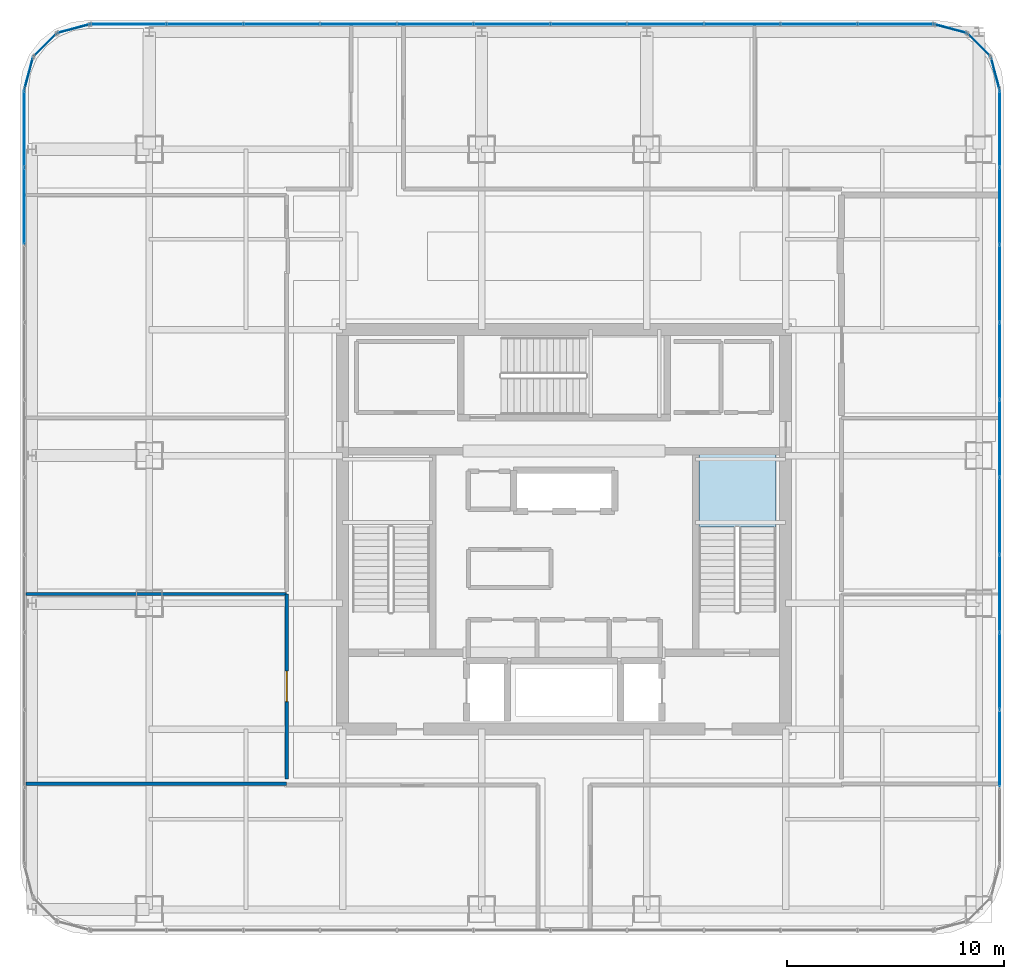
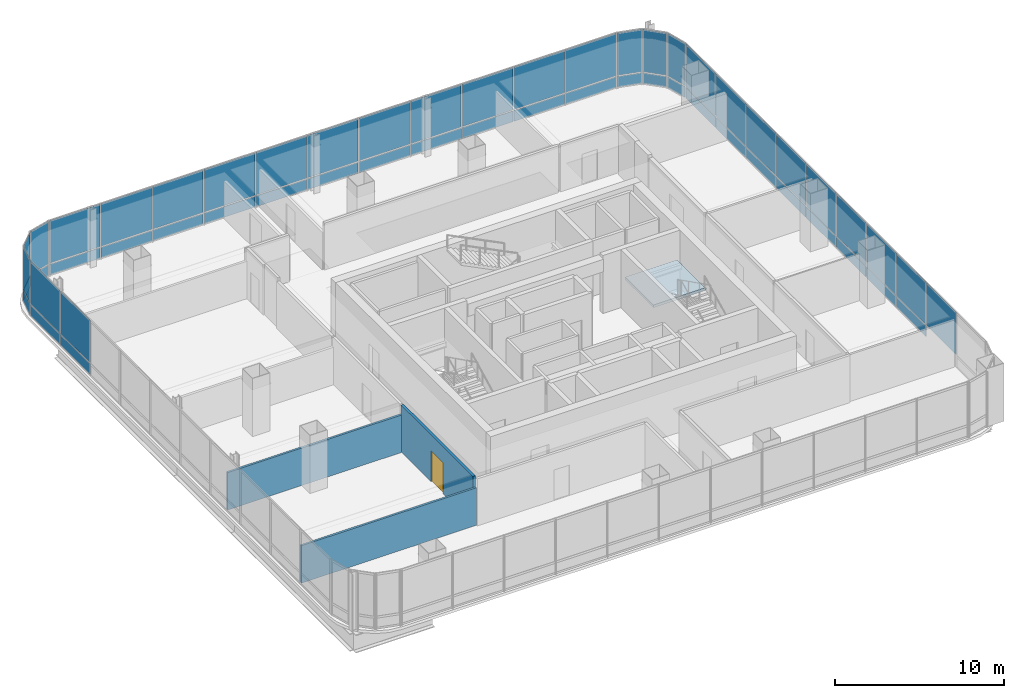
# One storey, part 33 of 41: 55 plates, 3 walls, 1 door, 1 slab, 1 opening, 10 elements without a shape of their own.
"""IFC4 building model written with IfcOpenShell, lengths in metres."""

from ifc_helpers import new_model, si_unit, direction, frame, frame_2d, origin, origin_2d, place, context, subcontext, project, spatial, polyline, rectangle, outline, extrude, material, layer, layer_set, type_object, element, fill, aggregate, save


model = new_model("IFC4")

# Units and contexts
model_context = context("Model", 3, precision=1e-05, world=origin(), true_north=direction((0.0, 1.0)))
body_context = subcontext(model_context, "Body", "Model", "MODEL_VIEW")
ifc_project = project(units=[si_unit("LENGTHUNIT", "METRE"), si_unit("AREAUNIT", "SQUARE_METRE"), si_unit("VOLUMEUNIT", "CUBIC_METRE"), si_unit("PLANEANGLEUNIT", "RADIAN"), si_unit("MASSUNIT", "GRAM", prefix="KILO")], contexts=[model_context])

# Site, building, storey
site_placement = place(None, origin())
site = spatial("IfcSite", under=ifc_project, at=site_placement, CompositionType="ELEMENT")
building_placement = place(site_placement, origin())
building = spatial("IfcBuilding", under=site, at=building_placement, Name="Punatoya Terracotta Tower", CompositionType="ELEMENT")
storey_placement = place(building_placement, frame((0.0, 0.0, 292.199951171875)))
storey = spatial("IfcBuildingStorey", under=building, at=storey_placement, Name="L69", CompositionType="ELEMENT", Elevation=292.199951171875)

# Curtain wall, plates
ifc_material_1 = material(Name="Aluminium 6063-T6 + Double Low-E Glass", Category="aluminium")
curtain_wall_type = type_object("IfcCurtainWallType", Name="CW-M3", PredefinedType="NOTDEFINED", material=ifc_material_1)
curtain_wall_1_placement = place(storey_placement, origin())
curtain_wall_1 = element("IfcCurtainWall", 1, at=curtain_wall_1_placement, inside=storey, type_object=curtain_wall_type, Name="L69 Curtain Wall CW-L69-E05-1", PredefinedType="NOTDEFINED")
ifc_material_2 = material(Name="Double Low-E Acoustic Vision Glass", Category="glass")
ifc_layer_1 = layer(ifc_material_2, 0.031982421875)
ifc_layer_set_1 = layer_set([ifc_layer_1], Name="Double Low-E Acoustic Vision Glass")
plate_type_1 = type_object("IfcPlateType", Name="PLT-GLZ-32", PredefinedType="CURTAIN_PANEL", material=ifc_layer_set_1)
plate_1_placement = place(storey_placement, frame((20.050048828125, -10.085693359375, 0.89013671875), z_axis=(0.0, 0.0, 1.0), x_axis=(0.0, 1.0, 0.0)))
plate_1 = element("IfcPlate", 2, at=plate_1_placement, type_object=plate_type_1, Name="CW-L69-E05-1 Vision Glass Panel 2", PredefinedType="CURTAIN_PANEL", context=body_context, shape_type="SweptSolid", body=[
    extrude(rectangle(XDim=3.482421875, YDim=0.031982421875, at=origin_2d()), origin(), (0.0, 0.0, 1.0), 3.070068359375),
])
plate_2_placement = place(storey_placement, frame((20.050048828125, -6.518310546875, 0.89013671875), z_axis=(0.0, 0.0, 1.0), x_axis=(0.0, 1.0, 0.0)))
plate_2 = element("IfcPlate", 3, at=plate_2_placement, type_object=plate_type_1, Name="CW-L69-E05-1 Vision Glass Panel 3", PredefinedType="CURTAIN_PANEL", context=body_context, shape_type="SweptSolid", body=[
    extrude(rectangle(XDim=3.482421875, YDim=0.031982421875, at=origin_2d()), origin(), (0.0, 0.0, 1.0), 3.070068359375),
])
plate_3_placement = place(storey_placement, frame((20.050048828125, -2.951171875, 0.89013671875), z_axis=(0.0, 0.0, 1.0), x_axis=(0.0, 1.0, 0.0)))
plate_3 = element("IfcPlate", 4, at=plate_3_placement, type_object=plate_type_1, Name="CW-L69-E05-1 Vision Glass Panel 4", PredefinedType="CURTAIN_PANEL", context=body_context, shape_type="SweptSolid", body=[
    extrude(rectangle(XDim=3.482421875, YDim=0.031982421875, at=origin_2d()), origin(), (0.0, 0.0, 1.0), 3.070068359375),
])
plate_4_placement = place(storey_placement, frame((20.050048828125, 0.6162109375, 0.89013671875), z_axis=(0.0, 0.0, 1.0), x_axis=(0.0, 1.0, 0.0)))
plate_4 = element("IfcPlate", 5, at=plate_4_placement, type_object=plate_type_1, Name="CW-L69-E05-1 Vision Glass Panel 5", PredefinedType="CURTAIN_PANEL", context=body_context, shape_type="SweptSolid", body=[
    extrude(rectangle(XDim=3.482421875, YDim=0.031982421875, at=origin_2d()), origin(), (0.0, 0.0, 1.0), 3.070068359375),
])
plate_5_placement = place(storey_placement, frame((20.050048828125, 4.18359375, 0.89013671875), z_axis=(0.0, 0.0, 1.0), x_axis=(0.0, 1.0, 0.0)))
plate_5 = element("IfcPlate", 6, at=plate_5_placement, type_object=plate_type_1, Name="CW-L69-E05-1 Vision Glass Panel 6", PredefinedType="CURTAIN_PANEL", context=body_context, shape_type="SweptSolid", body=[
    extrude(rectangle(XDim=3.482421875, YDim=0.031982421875, at=origin_2d()), origin(), (0.0, 0.0, 1.0), 3.070068359375),
])
plate_6_placement = place(storey_placement, frame((20.050048828125, 7.751220703125, 0.89013671875), z_axis=(0.0, 0.0, 1.0), x_axis=(0.0, 1.0, 0.0)))
plate_6 = element("IfcPlate", 7, at=plate_6_placement, type_object=plate_type_1, Name="CW-L69-E05-1 Vision Glass Panel 7", PredefinedType="CURTAIN_PANEL", context=body_context, shape_type="SweptSolid", body=[
    extrude(rectangle(XDim=3.482421875, YDim=0.031982421875, at=origin_2d()), origin(), (0.0, 0.0, 1.0), 3.070068359375),
])
plate_7_placement = place(storey_placement, frame((20.050048828125, 11.318359375, 0.89013671875), z_axis=(0.0, 0.0, 1.0), x_axis=(0.0, 1.0, 0.0)))
plate_7 = element("IfcPlate", 8, at=plate_7_placement, type_object=plate_type_1, Name="CW-L69-E05-1 Vision Glass Panel 8", PredefinedType="CURTAIN_PANEL", context=body_context, shape_type="SweptSolid", body=[
    extrude(rectangle(XDim=3.482421875, YDim=0.031982421875, at=origin_2d()), origin(), (0.0, 0.0, 1.0), 3.070068359375),
])
plate_8_placement = place(storey_placement, frame((20.050048828125, 14.8857421875, 0.89013671875), z_axis=(0.0, 0.0, 1.0), x_axis=(0.0, 1.0, 0.0)))
plate_8 = element("IfcPlate", 9, at=plate_8_placement, type_object=plate_type_1, Name="CW-L69-E05-1 Vision Glass Panel 9", PredefinedType="CURTAIN_PANEL", context=body_context, shape_type="SweptSolid", body=[
    extrude(rectangle(XDim=3.482421875, YDim=0.031982421875, at=origin_2d()), origin(), (0.0, 0.0, 1.0), 3.070068359375),
])
plate_9_placement = place(storey_placement, frame((20.050048828125, 18.453125, 0.89013671875), z_axis=(0.0, 0.0, 1.0), x_axis=(0.0, 1.0, 0.0)))
plate_9 = element("IfcPlate", 10, at=plate_9_placement, type_object=plate_type_1, Name="CW-L69-E05-1 Vision Glass Panel 10", PredefinedType="CURTAIN_PANEL", context=body_context, shape_type="SweptSolid", body=[
    extrude(rectangle(XDim=3.482421875, YDim=0.031982421875, at=origin_2d()), origin(), (0.0, 0.0, 1.0), 3.070068359375),
])

# Curtain wall, plate
curtain_wall_2_placement = place(storey_placement, origin())
curtain_wall_2 = element("IfcCurtainWall", 11, at=curtain_wall_2_placement, inside=storey, type_object=curtain_wall_type, Name="L69 Curtain Wall CW-L69-CRN06", PredefinedType="NOTDEFINED")
plate_10_placement = place(storey_placement, frame((19.848388671875, 20.992919921875, 0.89013671875), z_axis=(0.0, 0.0, 1.0), x_axis=(-0.257741620719, 0.966213877436, 0.0)))
plate_10 = element("IfcPlate", 12, at=plate_10_placement, type_object=plate_type_1, Name="CW-L69-CRN06 Vision Glass Panel 1", PredefinedType="CURTAIN_PANEL", context=body_context, shape_type="SweptSolid", body=[
    extrude(rectangle(XDim=1.47998046875, YDim=0.031982421875, at=origin_2d()), origin(), (0.0, 0.0, 1.0), 3.070068359375),
])

curtain_wall_3_placement = place(storey_placement, origin())
curtain_wall_3 = element("IfcCurtainWall", 13, at=curtain_wall_3_placement, inside=storey, type_object=curtain_wall_type, Name="L69 Curtain Wall CW-L69-CRN07", PredefinedType="NOTDEFINED")
plate_11_placement = place(storey_placement, frame((19.097900390625, 22.2978515625, 0.89013671875), z_axis=(0.0, 0.0, 1.0), x_axis=(-0.707106781187, 0.707106781187, 0.0)))
plate_11 = element("IfcPlate", 14, at=plate_11_placement, type_object=plate_type_1, Name="CW-L69-CRN07 Vision Glass Panel 1", PredefinedType="CURTAIN_PANEL", context=body_context, shape_type="SweptSolid", body=[
    extrude(rectangle(XDim=1.467041015625, YDim=0.031982421875, at=origin_2d()), origin(), (0.0, 0.0, 1.0), 3.070068359375),
])

curtain_wall_4_placement = place(storey_placement, origin())
curtain_wall_4 = element("IfcCurtainWall", 15, at=curtain_wall_4_placement, inside=storey, type_object=curtain_wall_type, Name="L69 Curtain Wall CW-L69-CRN08", PredefinedType="NOTDEFINED")
plate_12_placement = place(storey_placement, frame((17.79296875, 23.04833984375, 0.89013671875), z_axis=(0.0, 0.0, 1.0), x_axis=(-0.966213877436, 0.257741620719, 0.0)))
plate_12 = element("IfcPlate", 16, at=plate_12_placement, type_object=plate_type_1, Name="CW-L69-CRN08 Vision Glass Panel 1", PredefinedType="CURTAIN_PANEL", context=body_context, shape_type="SweptSolid", body=[
    extrude(rectangle(XDim=1.47998046875, YDim=0.031982421875, at=origin_2d()), origin(), (0.0, 0.0, 1.0), 3.070068359375),
])

# Curtain wall, plates
curtain_wall_5_placement = place(storey_placement, origin())
curtain_wall_5 = element("IfcCurtainWall", 17, at=curtain_wall_5_placement, inside=storey, type_object=curtain_wall_type, Name="L69 Curtain Wall CW-L69-N09-1", PredefinedType="NOTDEFINED")
plate_13_placement = place(storey_placement, frame((15.27001953125, 23.25, 0.89013671875), z_axis=(0.0, 0.0, 1.0), x_axis=(-1.0, 0.0, 0.0)))
plate_13 = element("IfcPlate", 18, at=plate_13_placement, type_object=plate_type_1, Name="CW-L69-N09-1 Vision Glass Panel 1", PredefinedType="CURTAIN_PANEL", context=body_context, shape_type="SweptSolid", body=[
    extrude(rectangle(XDim=3.448974609375, YDim=0.031982421875, at=origin_2d()), origin(), (0.0, 0.0, 1.0), 3.070068359375),
])
plate_14_placement = place(storey_placement, frame((11.73583984375, 23.25, 0.89013671875), z_axis=(0.0, 0.0, 1.0), x_axis=(-1.0, 0.0, 0.0)))
plate_14 = element("IfcPlate", 19, at=plate_14_placement, type_object=plate_type_1, Name="CW-L69-N09-1 Vision Glass Panel 2", PredefinedType="CURTAIN_PANEL", context=body_context, shape_type="SweptSolid", body=[
    extrude(rectangle(XDim=3.448974609375, YDim=0.031982421875, at=origin_2d()), origin(), (0.0, 0.0, 1.0), 3.070068359375),
])
plate_15_placement = place(storey_placement, frame((8.201904296875, 23.25, 0.89013671875), z_axis=(0.0, 0.0, 1.0), x_axis=(-1.0, 0.0, 0.0)))
plate_15 = element("IfcPlate", 20, at=plate_15_placement, type_object=plate_type_1, Name="CW-L69-N09-1 Vision Glass Panel 3", PredefinedType="CURTAIN_PANEL", context=body_context, shape_type="SweptSolid", body=[
    extrude(rectangle(XDim=3.448974609375, YDim=0.031982421875, at=origin_2d()), origin(), (0.0, 0.0, 1.0), 3.070068359375),
])
plate_16_placement = place(storey_placement, frame((4.66796875, 23.25, 0.89013671875), z_axis=(0.0, 0.0, 1.0), x_axis=(-1.0, 0.0, 0.0)))
plate_16 = element("IfcPlate", 21, at=plate_16_placement, type_object=plate_type_1, Name="CW-L69-N09-1 Vision Glass Panel 4", PredefinedType="CURTAIN_PANEL", context=body_context, shape_type="SweptSolid", body=[
    extrude(rectangle(XDim=3.448974609375, YDim=0.031982421875, at=origin_2d()), origin(), (0.0, 0.0, 1.0), 3.070068359375),
])
plate_17_placement = place(storey_placement, frame((1.134033203125, 23.25, 0.89013671875), z_axis=(0.0, 0.0, 1.0), x_axis=(-1.0, 0.0, 0.0)))
plate_17 = element("IfcPlate", 22, at=plate_17_placement, type_object=plate_type_1, Name="CW-L69-N09-1 Vision Glass Panel 5", PredefinedType="CURTAIN_PANEL", context=body_context, shape_type="SweptSolid", body=[
    extrude(rectangle(XDim=3.448974609375, YDim=0.031982421875, at=origin_2d()), origin(), (0.0, 0.0, 1.0), 3.070068359375),
])
plate_18_placement = place(storey_placement, frame((-2.39990234375, 23.25, 0.89013671875), z_axis=(0.0, 0.0, 1.0), x_axis=(-1.0, 0.0, 0.0)))
plate_18 = element("IfcPlate", 23, at=plate_18_placement, type_object=plate_type_1, Name="CW-L69-N09-1 Vision Glass Panel 6", PredefinedType="CURTAIN_PANEL", context=body_context, shape_type="SweptSolid", body=[
    extrude(rectangle(XDim=3.448974609375, YDim=0.031982421875, at=origin_2d()), origin(), (0.0, 0.0, 1.0), 3.070068359375),
])
plate_19_placement = place(storey_placement, frame((-5.93408203125, 23.25, 0.89013671875), z_axis=(0.0, 0.0, 1.0), x_axis=(-1.0, 0.0, 0.0)))
plate_19 = element("IfcPlate", 24, at=plate_19_placement, type_object=plate_type_1, Name="CW-L69-N09-1 Vision Glass Panel 7", PredefinedType="CURTAIN_PANEL", context=body_context, shape_type="SweptSolid", body=[
    extrude(rectangle(XDim=3.448974609375, YDim=0.031982421875, at=origin_2d()), origin(), (0.0, 0.0, 1.0), 3.070068359375),
])
plate_20_placement = place(storey_placement, frame((-9.468017578125, 23.25, 0.89013671875), z_axis=(0.0, 0.0, 1.0), x_axis=(-1.0, 0.0, 0.0)))
plate_20 = element("IfcPlate", 25, at=plate_20_placement, type_object=plate_type_1, Name="CW-L69-N09-1 Vision Glass Panel 8", PredefinedType="CURTAIN_PANEL", context=body_context, shape_type="SweptSolid", body=[
    extrude(rectangle(XDim=3.448974609375, YDim=0.031982421875, at=origin_2d()), origin(), (0.0, 0.0, 1.0), 3.070068359375),
])
plate_21_placement = place(storey_placement, frame((-13.001953125, 23.25, 0.89013671875), z_axis=(0.0, 0.0, 1.0), x_axis=(-1.0, 0.0, 0.0)))
plate_21 = element("IfcPlate", 26, at=plate_21_placement, type_object=plate_type_1, Name="CW-L69-N09-1 Vision Glass Panel 9", PredefinedType="CURTAIN_PANEL", context=body_context, shape_type="SweptSolid", body=[
    extrude(rectangle(XDim=3.448974609375, YDim=0.031982421875, at=origin_2d()), origin(), (0.0, 0.0, 1.0), 3.070068359375),
])
plate_22_placement = place(storey_placement, frame((-16.535888671875, 23.25, 0.89013671875), z_axis=(0.0, 0.0, 1.0), x_axis=(-1.0, 0.0, 0.0)))
plate_22 = element("IfcPlate", 27, at=plate_22_placement, type_object=plate_type_1, Name="CW-L69-N09-1 Vision Glass Panel 10", PredefinedType="CURTAIN_PANEL", context=body_context, shape_type="SweptSolid", body=[
    extrude(rectangle(XDim=3.448974609375, YDim=0.031982421875, at=origin_2d()), origin(), (0.0, 0.0, 1.0), 3.070068359375),
])
plate_23_placement = place(storey_placement, frame((-20.06982421875, 23.25, 0.89013671875), z_axis=(0.0, 0.0, 1.0), x_axis=(-1.0, 0.0, 0.0)))
plate_23 = element("IfcPlate", 28, at=plate_23_placement, type_object=plate_type_1, Name="CW-L69-N09-1 Vision Glass Panel 11", PredefinedType="CURTAIN_PANEL", context=body_context, shape_type="SweptSolid", body=[
    extrude(rectangle(XDim=3.448974609375, YDim=0.031982421875, at=origin_2d()), origin(), (0.0, 0.0, 1.0), 3.070068359375),
])

# Curtain wall, plate
curtain_wall_6_placement = place(storey_placement, origin())
curtain_wall_6 = element("IfcCurtainWall", 29, at=curtain_wall_6_placement, inside=storey, type_object=curtain_wall_type, Name="L69 Curtain Wall CW-L69-CRN10", PredefinedType="NOTDEFINED")
plate_24_placement = place(storey_placement, frame((-22.593017578125, 23.04833984375, 0.89013671875), z_axis=(0.0, 0.0, 1.0), x_axis=(-0.966213877436, -0.257741620719, 0.0)))
plate_24 = element("IfcPlate", 30, at=plate_24_placement, type_object=plate_type_1, Name="CW-L69-CRN10 Vision Glass Panel 1", PredefinedType="CURTAIN_PANEL", context=body_context, shape_type="SweptSolid", body=[
    extrude(rectangle(XDim=1.47998046875, YDim=0.031982421875, at=origin_2d()), origin(), (0.0, 0.0, 1.0), 3.070068359375),
])

curtain_wall_7_placement = place(storey_placement, origin())
curtain_wall_7 = element("IfcCurtainWall", 31, at=curtain_wall_7_placement, inside=storey, type_object=curtain_wall_type, Name="L69 Curtain Wall CW-L69-CRN11", PredefinedType="NOTDEFINED")
plate_25_placement = place(storey_placement, frame((-23.89794921875, 22.2978515625, 0.89013671875), z_axis=(0.0, 0.0, 1.0), x_axis=(-0.707106781187, -0.707106781187, 0.0)))
plate_25 = element("IfcPlate", 32, at=plate_25_placement, type_object=plate_type_1, Name="CW-L69-CRN11 Vision Glass Panel 1", PredefinedType="CURTAIN_PANEL", context=body_context, shape_type="SweptSolid", body=[
    extrude(rectangle(XDim=1.467041015625, YDim=0.031982421875, at=origin_2d()), origin(), (0.0, 0.0, 1.0), 3.070068359375),
])

curtain_wall_8_placement = place(storey_placement, origin())
curtain_wall_8 = element("IfcCurtainWall", 33, at=curtain_wall_8_placement, inside=storey, type_object=curtain_wall_type, Name="L69 Curtain Wall CW-L69-CRN12", PredefinedType="NOTDEFINED")
plate_26_placement = place(storey_placement, frame((-24.648193359375, 20.992919921875, 0.89013671875), z_axis=(0.0, 0.0, 1.0), x_axis=(-0.257741620719, -0.966213877436, 0.0)))
plate_26 = element("IfcPlate", 34, at=plate_26_placement, type_object=plate_type_1, Name="CW-L69-CRN12 Vision Glass Panel 1", PredefinedType="CURTAIN_PANEL", context=body_context, shape_type="SweptSolid", body=[
    extrude(rectangle(XDim=1.47998046875, YDim=0.031982421875, at=origin_2d()), origin(), (0.0, 0.0, 1.0), 3.070068359375),
])

# Curtain wall, plates
curtain_wall_9_placement = place(storey_placement, origin())
curtain_wall_9 = element("IfcCurtainWall", 35, at=curtain_wall_9_placement, inside=storey, type_object=curtain_wall_type, Name="L69 Curtain Wall CW-L69-W13-1", PredefinedType="NOTDEFINED")
plate_27_placement = place(storey_placement, frame((-24.85009765625, 18.453125, 0.89013671875), z_axis=(0.0, 0.0, 1.0), x_axis=(0.0, -1.0, 0.0)))
plate_27 = element("IfcPlate", 36, at=plate_27_placement, type_object=plate_type_1, Name="CW-L69-W13-1 Vision Glass Panel 1", PredefinedType="CURTAIN_PANEL", context=body_context, shape_type="SweptSolid", body=[
    extrude(rectangle(XDim=3.482421875, YDim=0.031982421875, at=origin_2d()), origin(), (0.0, 0.0, 1.0), 3.070068359375),
])
plate_28_placement = place(storey_placement, frame((-24.85009765625, 14.8857421875, 0.89013671875), z_axis=(0.0, 0.0, 1.0), x_axis=(0.0, -1.0, 0.0)))
plate_28 = element("IfcPlate", 37, at=plate_28_placement, type_object=plate_type_1, Name="CW-L69-W13-1 Vision Glass Panel 2", PredefinedType="CURTAIN_PANEL", context=body_context, shape_type="SweptSolid", body=[
    extrude(rectangle(XDim=3.482421875, YDim=0.031982421875, at=origin_2d()), origin(), (0.0, 0.0, 1.0), 3.070068359375),
])

# Plate
ifc_material_3 = material(Name="Insulated Terracotta-Backed Spandrel Panel", Category="masonry")
ifc_layer_2 = layer(ifc_material_3, 0.044921875)
ifc_layer_set_2 = layer_set([ifc_layer_2], Name="Insulated Terracotta-Backed Spandrel Panel")
plate_type_2 = type_object("IfcPlateType", Name="PLT-SPN-45", PredefinedType="CURTAIN_PANEL", material=ifc_layer_set_2)
plate_29_placement = place(storey_placement, frame((20.050048828125, -6.518310546875, 0.0400390625), z_axis=(0.0, 0.0, 1.0), x_axis=(0.0, 1.0, 0.0)))
plate_29 = element("IfcPlate", 38, at=plate_29_placement, type_object=plate_type_2, Name="CW-L69-E05-1 Terracotta Spandrel Panel 3", PredefinedType="CURTAIN_PANEL", context=body_context, shape_type="SweptSolid", body=[
    extrude(rectangle(XDim=3.482421875, YDim=0.044921875, at=origin_2d()), origin(), (0.0, 0.0, 1.0), 0.77490234375),
])

plate_30_placement = place(storey_placement, frame((20.050048828125, -2.951171875, 0.0400390625), z_axis=(0.0, 0.0, 1.0), x_axis=(0.0, 1.0, 0.0)))
plate_30 = element("IfcPlate", 39, at=plate_30_placement, type_object=plate_type_2, Name="CW-L69-E05-1 Terracotta Spandrel Panel 4", PredefinedType="CURTAIN_PANEL", context=body_context, shape_type="SweptSolid", body=[
    extrude(rectangle(XDim=3.482421875, YDim=0.044921875, at=origin_2d()), origin(), (0.0, 0.0, 1.0), 0.77490234375),
])

plate_31_placement = place(storey_placement, frame((20.050048828125, 0.6162109375, 0.0400390625), z_axis=(0.0, 0.0, 1.0), x_axis=(0.0, 1.0, 0.0)))
plate_31 = element("IfcPlate", 40, at=plate_31_placement, type_object=plate_type_2, Name="CW-L69-E05-1 Terracotta Spandrel Panel 5", PredefinedType="CURTAIN_PANEL", context=body_context, shape_type="SweptSolid", body=[
    extrude(rectangle(XDim=3.482421875, YDim=0.044921875, at=origin_2d()), origin(), (0.0, 0.0, 1.0), 0.77490234375),
])

plate_32_placement = place(storey_placement, frame((20.050048828125, 4.18359375, 0.0400390625), z_axis=(0.0, 0.0, 1.0), x_axis=(0.0, 1.0, 0.0)))
plate_32 = element("IfcPlate", 41, at=plate_32_placement, type_object=plate_type_2, Name="CW-L69-E05-1 Terracotta Spandrel Panel 6", PredefinedType="CURTAIN_PANEL", context=body_context, shape_type="SweptSolid", body=[
    extrude(rectangle(XDim=3.482421875, YDim=0.044921875, at=origin_2d()), origin(), (0.0, 0.0, 1.0), 0.77490234375),
])

plate_33_placement = place(storey_placement, frame((20.050048828125, 7.751220703125, 0.0400390625), z_axis=(0.0, 0.0, 1.0), x_axis=(0.0, 1.0, 0.0)))
plate_33 = element("IfcPlate", 42, at=plate_33_placement, type_object=plate_type_2, Name="CW-L69-E05-1 Terracotta Spandrel Panel 7", PredefinedType="CURTAIN_PANEL", context=body_context, shape_type="SweptSolid", body=[
    extrude(rectangle(XDim=3.482421875, YDim=0.044921875, at=origin_2d()), origin(), (0.0, 0.0, 1.0), 0.77490234375),
])

plate_34_placement = place(storey_placement, frame((20.050048828125, 11.318359375, 0.0400390625), z_axis=(0.0, 0.0, 1.0), x_axis=(0.0, 1.0, 0.0)))
plate_34 = element("IfcPlate", 43, at=plate_34_placement, type_object=plate_type_2, Name="CW-L69-E05-1 Terracotta Spandrel Panel 8", PredefinedType="CURTAIN_PANEL", context=body_context, shape_type="SweptSolid", body=[
    extrude(rectangle(XDim=3.482421875, YDim=0.044921875, at=origin_2d()), origin(), (0.0, 0.0, 1.0), 0.77490234375),
])

plate_35_placement = place(storey_placement, frame((20.050048828125, 14.8857421875, 0.0400390625), z_axis=(0.0, 0.0, 1.0), x_axis=(0.0, 1.0, 0.0)))
plate_35 = element("IfcPlate", 44, at=plate_35_placement, type_object=plate_type_2, Name="CW-L69-E05-1 Terracotta Spandrel Panel 9", PredefinedType="CURTAIN_PANEL", context=body_context, shape_type="SweptSolid", body=[
    extrude(rectangle(XDim=3.482421875, YDim=0.044921875, at=origin_2d()), origin(), (0.0, 0.0, 1.0), 0.77490234375),
])

plate_36_placement = place(storey_placement, frame((20.050048828125, 18.453125, 0.0400390625), z_axis=(0.0, 0.0, 1.0), x_axis=(0.0, 1.0, 0.0)))
plate_36 = element("IfcPlate", 45, at=plate_36_placement, type_object=plate_type_2, Name="CW-L69-E05-1 Terracotta Spandrel Panel 10", PredefinedType="CURTAIN_PANEL", context=body_context, shape_type="SweptSolid", body=[
    extrude(rectangle(XDim=3.482421875, YDim=0.044921875, at=origin_2d()), origin(), (0.0, 0.0, 1.0), 0.77490234375),
])

aggregate(curtain_wall_1, [plate_1, plate_29, plate_2, plate_30, plate_3, plate_31, plate_4, plate_32, plate_5, plate_33, plate_6, plate_34, plate_7, plate_35, plate_8, plate_36, plate_9])

plate_37_placement = place(storey_placement, frame((19.848388671875, 20.992919921875, 0.0400390625), z_axis=(0.0, 0.0, 1.0), x_axis=(-0.257741620719, 0.966213877436, 0.0)))
plate_37 = element("IfcPlate", 46, at=plate_37_placement, type_object=plate_type_2, Name="CW-L69-CRN06 Terracotta Spandrel Panel 1", PredefinedType="CURTAIN_PANEL", context=body_context, shape_type="SweptSolid", body=[
    extrude(rectangle(XDim=1.47998046875, YDim=0.044921875, at=origin_2d()), origin(), (0.0, 0.0, 1.0), 0.77490234375),
])

aggregate(curtain_wall_2, [plate_37, plate_10])

plate_38_placement = place(storey_placement, frame((19.097900390625, 22.2978515625, 0.0400390625), z_axis=(0.0, 0.0, 1.0), x_axis=(-0.707106781187, 0.707106781187, 0.0)))
plate_38 = element("IfcPlate", 47, at=plate_38_placement, type_object=plate_type_2, Name="CW-L69-CRN07 Terracotta Spandrel Panel 1", PredefinedType="CURTAIN_PANEL", context=body_context, shape_type="SweptSolid", body=[
    extrude(rectangle(XDim=1.467041015625, YDim=0.044921875, at=origin_2d()), origin(), (0.0, 0.0, 1.0), 0.77490234375),
])

aggregate(curtain_wall_3, [plate_38, plate_11])

plate_39_placement = place(storey_placement, frame((17.79296875, 23.04833984375, 0.0400390625), z_axis=(0.0, 0.0, 1.0), x_axis=(-0.966213877436, 0.257741620719, 0.0)))
plate_39 = element("IfcPlate", 48, at=plate_39_placement, type_object=plate_type_2, Name="CW-L69-CRN08 Terracotta Spandrel Panel 1", PredefinedType="CURTAIN_PANEL", context=body_context, shape_type="SweptSolid", body=[
    extrude(rectangle(XDim=1.47998046875, YDim=0.044921875, at=origin_2d()), origin(), (0.0, 0.0, 1.0), 0.77490234375),
])

aggregate(curtain_wall_4, [plate_39, plate_12])

plate_40_placement = place(storey_placement, frame((15.27001953125, 23.25, 0.0400390625), z_axis=(0.0, 0.0, 1.0), x_axis=(-1.0, 0.0, 0.0)))
plate_40 = element("IfcPlate", 49, at=plate_40_placement, type_object=plate_type_2, Name="CW-L69-N09-1 Terracotta Spandrel Panel 1", PredefinedType="CURTAIN_PANEL", context=body_context, shape_type="SweptSolid", body=[
    extrude(rectangle(XDim=3.448974609375, YDim=0.044921875, at=origin_2d()), origin(), (0.0, 0.0, 1.0), 0.77490234375),
])

plate_41_placement = place(storey_placement, frame((11.73583984375, 23.25, 0.0400390625), z_axis=(0.0, 0.0, 1.0), x_axis=(-1.0, 0.0, 0.0)))
plate_41 = element("IfcPlate", 50, at=plate_41_placement, type_object=plate_type_2, Name="CW-L69-N09-1 Terracotta Spandrel Panel 2", PredefinedType="CURTAIN_PANEL", context=body_context, shape_type="SweptSolid", body=[
    extrude(rectangle(XDim=3.448974609375, YDim=0.044921875, at=origin_2d()), origin(), (0.0, 0.0, 1.0), 0.77490234375),
])

plate_42_placement = place(storey_placement, frame((8.201904296875, 23.25, 0.0400390625), z_axis=(0.0, 0.0, 1.0), x_axis=(-1.0, 0.0, 0.0)))
plate_42 = element("IfcPlate", 51, at=plate_42_placement, type_object=plate_type_2, Name="CW-L69-N09-1 Terracotta Spandrel Panel 3", PredefinedType="CURTAIN_PANEL", context=body_context, shape_type="SweptSolid", body=[
    extrude(rectangle(XDim=3.448974609375, YDim=0.044921875, at=origin_2d()), origin(), (0.0, 0.0, 1.0), 0.77490234375),
])

plate_43_placement = place(storey_placement, frame((4.66796875, 23.25, 0.0400390625), z_axis=(0.0, 0.0, 1.0), x_axis=(-1.0, 0.0, 0.0)))
plate_43 = element("IfcPlate", 52, at=plate_43_placement, type_object=plate_type_2, Name="CW-L69-N09-1 Terracotta Spandrel Panel 4", PredefinedType="CURTAIN_PANEL", context=body_context, shape_type="SweptSolid", body=[
    extrude(rectangle(XDim=3.448974609375, YDim=0.044921875, at=origin_2d()), origin(), (0.0, 0.0, 1.0), 0.77490234375),
])

plate_44_placement = place(storey_placement, frame((1.134033203125, 23.25, 0.0400390625), z_axis=(0.0, 0.0, 1.0), x_axis=(-1.0, 0.0, 0.0)))
plate_44 = element("IfcPlate", 53, at=plate_44_placement, type_object=plate_type_2, Name="CW-L69-N09-1 Terracotta Spandrel Panel 5", PredefinedType="CURTAIN_PANEL", context=body_context, shape_type="SweptSolid", body=[
    extrude(rectangle(XDim=3.448974609375, YDim=0.044921875, at=origin_2d()), origin(), (0.0, 0.0, 1.0), 0.77490234375),
])

plate_45_placement = place(storey_placement, frame((-2.39990234375, 23.25, 0.0400390625), z_axis=(0.0, 0.0, 1.0), x_axis=(-1.0, 0.0, 0.0)))
plate_45 = element("IfcPlate", 54, at=plate_45_placement, type_object=plate_type_2, Name="CW-L69-N09-1 Terracotta Spandrel Panel 6", PredefinedType="CURTAIN_PANEL", context=body_context, shape_type="SweptSolid", body=[
    extrude(rectangle(XDim=3.448974609375, YDim=0.044921875, at=origin_2d()), origin(), (0.0, 0.0, 1.0), 0.77490234375),
])

plate_46_placement = place(storey_placement, frame((-5.93408203125, 23.25, 0.0400390625), z_axis=(0.0, 0.0, 1.0), x_axis=(-1.0, 0.0, 0.0)))
plate_46 = element("IfcPlate", 55, at=plate_46_placement, type_object=plate_type_2, Name="CW-L69-N09-1 Terracotta Spandrel Panel 7", PredefinedType="CURTAIN_PANEL", context=body_context, shape_type="SweptSolid", body=[
    extrude(rectangle(XDim=3.448974609375, YDim=0.044921875, at=origin_2d()), origin(), (0.0, 0.0, 1.0), 0.77490234375),
])

plate_47_placement = place(storey_placement, frame((-9.468017578125, 23.25, 0.0400390625), z_axis=(0.0, 0.0, 1.0), x_axis=(-1.0, 0.0, 0.0)))
plate_47 = element("IfcPlate", 56, at=plate_47_placement, type_object=plate_type_2, Name="CW-L69-N09-1 Terracotta Spandrel Panel 8", PredefinedType="CURTAIN_PANEL", context=body_context, shape_type="SweptSolid", body=[
    extrude(rectangle(XDim=3.448974609375, YDim=0.044921875, at=origin_2d()), origin(), (0.0, 0.0, 1.0), 0.77490234375),
])

plate_48_placement = place(storey_placement, frame((-13.001953125, 23.25, 0.0400390625), z_axis=(0.0, 0.0, 1.0), x_axis=(-1.0, 0.0, 0.0)))
plate_48 = element("IfcPlate", 57, at=plate_48_placement, type_object=plate_type_2, Name="CW-L69-N09-1 Terracotta Spandrel Panel 9", PredefinedType="CURTAIN_PANEL", context=body_context, shape_type="SweptSolid", body=[
    extrude(rectangle(XDim=3.448974609375, YDim=0.044921875, at=origin_2d()), origin(), (0.0, 0.0, 1.0), 0.77490234375),
])

plate_49_placement = place(storey_placement, frame((-16.535888671875, 23.25, 0.0400390625), z_axis=(0.0, 0.0, 1.0), x_axis=(-1.0, 0.0, 0.0)))
plate_49 = element("IfcPlate", 58, at=plate_49_placement, type_object=plate_type_2, Name="CW-L69-N09-1 Terracotta Spandrel Panel 10", PredefinedType="CURTAIN_PANEL", context=body_context, shape_type="SweptSolid", body=[
    extrude(rectangle(XDim=3.448974609375, YDim=0.044921875, at=origin_2d()), origin(), (0.0, 0.0, 1.0), 0.77490234375),
])

plate_50_placement = place(storey_placement, frame((-20.06982421875, 23.25, 0.0400390625), z_axis=(0.0, 0.0, 1.0), x_axis=(-1.0, 0.0, 0.0)))
plate_50 = element("IfcPlate", 59, at=plate_50_placement, type_object=plate_type_2, Name="CW-L69-N09-1 Terracotta Spandrel Panel 11", PredefinedType="CURTAIN_PANEL", context=body_context, shape_type="SweptSolid", body=[
    extrude(rectangle(XDim=3.448974609375, YDim=0.044921875, at=origin_2d()), origin(), (0.0, 0.0, 1.0), 0.77490234375),
])

aggregate(curtain_wall_5, [plate_40, plate_13, plate_41, plate_14, plate_42, plate_15, plate_43, plate_16, plate_44, plate_17, plate_45, plate_18, plate_46, plate_19, plate_47, plate_20, plate_48, plate_21, plate_49, plate_22, plate_50, plate_23])

plate_51_placement = place(storey_placement, frame((-22.593017578125, 23.04833984375, 0.0400390625), z_axis=(0.0, 0.0, 1.0), x_axis=(-0.966213877436, -0.257741620719, 0.0)))
plate_51 = element("IfcPlate", 60, at=plate_51_placement, type_object=plate_type_2, Name="CW-L69-CRN10 Terracotta Spandrel Panel 1", PredefinedType="CURTAIN_PANEL", context=body_context, shape_type="SweptSolid", body=[
    extrude(rectangle(XDim=1.47998046875, YDim=0.044921875, at=origin_2d()), origin(), (0.0, 0.0, 1.0), 0.77490234375),
])

aggregate(curtain_wall_6, [plate_51, plate_24])

plate_52_placement = place(storey_placement, frame((-23.89794921875, 22.2978515625, 0.0400390625), z_axis=(0.0, 0.0, 1.0), x_axis=(-0.707106781187, -0.707106781187, 0.0)))
plate_52 = element("IfcPlate", 61, at=plate_52_placement, type_object=plate_type_2, Name="CW-L69-CRN11 Terracotta Spandrel Panel 1", PredefinedType="CURTAIN_PANEL", context=body_context, shape_type="SweptSolid", body=[
    extrude(rectangle(XDim=1.467041015625, YDim=0.044921875, at=origin_2d()), origin(), (0.0, 0.0, 1.0), 0.77490234375),
])

aggregate(curtain_wall_7, [plate_52, plate_25])

plate_53_placement = place(storey_placement, frame((-24.648193359375, 20.992919921875, 0.0400390625), z_axis=(0.0, 0.0, 1.0), x_axis=(-0.257741620719, -0.966213877436, 0.0)))
plate_53 = element("IfcPlate", 62, at=plate_53_placement, type_object=plate_type_2, Name="CW-L69-CRN12 Terracotta Spandrel Panel 1", PredefinedType="CURTAIN_PANEL", context=body_context, shape_type="SweptSolid", body=[
    extrude(rectangle(XDim=1.47998046875, YDim=0.044921875, at=origin_2d()), origin(), (0.0, 0.0, 1.0), 0.77490234375),
])

aggregate(curtain_wall_8, [plate_53, plate_26])

plate_54_placement = place(storey_placement, frame((-24.85009765625, 18.453125, 0.0400390625), z_axis=(0.0, 0.0, 1.0), x_axis=(0.0, -1.0, 0.0)))
plate_54 = element("IfcPlate", 63, at=plate_54_placement, type_object=plate_type_2, Name="CW-L69-W13-1 Terracotta Spandrel Panel 1", PredefinedType="CURTAIN_PANEL", context=body_context, shape_type="SweptSolid", body=[
    extrude(rectangle(XDim=3.482421875, YDim=0.044921875, at=origin_2d()), origin(), (0.0, 0.0, 1.0), 0.77490234375),
])

plate_55_placement = place(storey_placement, frame((-24.85009765625, 14.8857421875, 0.0400390625), z_axis=(0.0, 0.0, 1.0), x_axis=(0.0, -1.0, 0.0)))
plate_55 = element("IfcPlate", 64, at=plate_55_placement, type_object=plate_type_2, Name="CW-L69-W13-1 Terracotta Spandrel Panel 2", PredefinedType="CURTAIN_PANEL", context=body_context, shape_type="SweptSolid", body=[
    extrude(rectangle(XDim=3.482421875, YDim=0.044921875, at=origin_2d()), origin(), (0.0, 0.0, 1.0), 0.77490234375),
])

aggregate(curtain_wall_9, [plate_54, plate_27, plate_55, plate_28])

# Stair, slab
ifc_material_4 = material(Name="Concrete C40/50", Category="concrete")
stair_type = type_object("IfcStairType", Name="STR-LOB-1650", PredefinedType="HALF_TURN_STAIR", material=ifc_material_4)
stair_placement = place(storey_placement, origin())
stair = element("IfcStair", 65, at=stair_placement, inside=storey, type_object=stair_type, Name="L69 Protected Core Exit Stair ST-2", PredefinedType="HALF_TURN_STAIR")
ifc_layer_3 = layer(ifc_material_4, 0.179931640625)
ifc_layer_set_3 = layer_set([ifc_layer_3], Name="Concrete C40/50")
slab_type = type_object("IfcSlabType", Name="SLB-LND-180", PredefinedType="LANDING", material=ifc_layer_set_3)
slab_placement = place(storey_placement, frame((0.0, 0.0, 1.900146484375)))
slab = element("IfcSlab", 66, at=slab_placement, type_object=slab_type, Name="ST-2 landing 1", PredefinedType="LANDING", context=body_context, shape_type="SweptSolid", body=[
    extrude(outline(polyline([(9.75, 0.10009765625), (9.75, 3.449951171875), (6.199951171875, 3.449951171875), (6.199951171875, 0.10009765625), (9.75, 0.10009765625)])), origin(), (0.0, 0.0, 1.0), 0.199951171875),
])
aggregate(stair, [slab])

# Wall, opening, door
ifc_material_5 = material(Name="Gypsum Fireboard + Steel Stud", Category="steel")
ifc_layer_4 = layer(ifc_material_5, 0.179931640625)
ifc_layer_set_4 = layer_set([ifc_layer_4], Name="Gypsum Fireboard + Steel Stud")
wall_type_1 = type_object("IfcWallType", Name="WL-CORR-180", PredefinedType="PARTITIONING", material=ifc_layer_set_4)
wall_placement = place(storey_placement, frame((-12.77001953125, -2.969970703125, 0.0), z_axis=(0.0, 0.0, 1.0), x_axis=(0.0, -1.0, 0.0)))
wall = element("IfcWall", 67, at=wall_placement, inside=storey, type_object=wall_type_1, Name="L69 Open-Plan Cultural History Classroom Partition 31", PredefinedType="PARTITIONING", context=body_context, shape_type="SweptSolid", body=[
    extrude(rectangle(XDim=8.52001953125, YDim=0.179931640625, at=frame_2d((4.260009765625, 0.0))), origin(), (0.0, 0.0, 1.0), 3.39404296875),
])
opening_placement = place(wall_placement, frame((3.56005859375, 0.0, 0.0)))
opening = element("IfcOpeningElement", 68, at=opening_placement, cuts=wall, Name="Opening BD-01", PredefinedType="OPENING", context=body_context, shape_type="SweptSolid", body=[
    extrude(rectangle(XDim=1.39990234375, YDim=2.25, at=frame_2d((0.699951171875, 1.125))), frame((0.0, 0.099853515625, 0.0), z_axis=(0.0, -1.0, 0.0), x_axis=(1.0, 0.0, 0.0)), (0.0, 0.0, 1.0), 0.199951171875),
])
ifc_material_6 = material(Name="Bengal Teak Acoustic Leaf")
door_type = type_object("IfcDoorType", Name="DR-BRD-1400", OperationType="NOTDEFINED", PredefinedType="DOOR", material=ifc_material_6)
door_placement = place(opening_placement, origin())
door = element("IfcDoor", 69, at=door_placement, inside=storey, type_object=door_type, Name="L69 Open-Plan Cultural History Classroom Door", OperationType="SINGLE_SWING_LEFT", OverallHeight=2.25, OverallWidth=1.39990234375, PredefinedType="DOOR", context=body_context, shape_type="SweptSolid", body=[
    extrude(rectangle(XDim=1.39990234375, YDim=2.25, at=frame_2d((0.699951171875, 1.125))), frame((0.0, 0.02490234375, 0.0), z_axis=(0.0, -1.0, 0.0), x_axis=(1.0, 0.0, 0.0)), (0.0, 0.0, 1.0), 0.050048828125),
])
fill(opening, door)

# Walls
ifc_material_7 = material(Name="Acoustic Gypsum + Steel Stud", Category="steel")
ifc_layer_5 = layer(ifc_material_7, 0.139892578125)
ifc_layer_set_5 = layer_set([ifc_layer_5], Name="Acoustic Gypsum + Steel Stud")
wall_type_2 = type_object("IfcWallType", Name="WL-OFF-140", PredefinedType="PARTITIONING", material=ifc_layer_set_5)
for number, where, z_axis, x_axis, name in (
    (70, (-24.77001953125, -11.7099609375, 0.0), (0.0, 0.0, 1.0), (1.0, 0.0, 0.0), "L69 Staff Wellness Studio Partition 26"),
    (71, (-24.77001953125, -2.969970703125, 0.0), (0.0, 0.0, 1.0), (1.0, 0.0, 0.0), "L69 Open-Plan Cultural History Classroom Partition 30"),
):
    element("IfcWall", number, at=place(storey_placement, frame(where, z_axis=z_axis, x_axis=x_axis)), inside=storey, type_object=wall_type_2, Name=name, PredefinedType="PARTITIONING", context=body_context, shape_type="SweptSolid", body=[
        extrude(rectangle(XDim=12.0, YDim=0.139892578125, at=frame_2d((6.0, 0.0))), origin(), (0.0, 0.0, 1.0), 2.714111328125),
    ])

save(model, "model.ifc")
